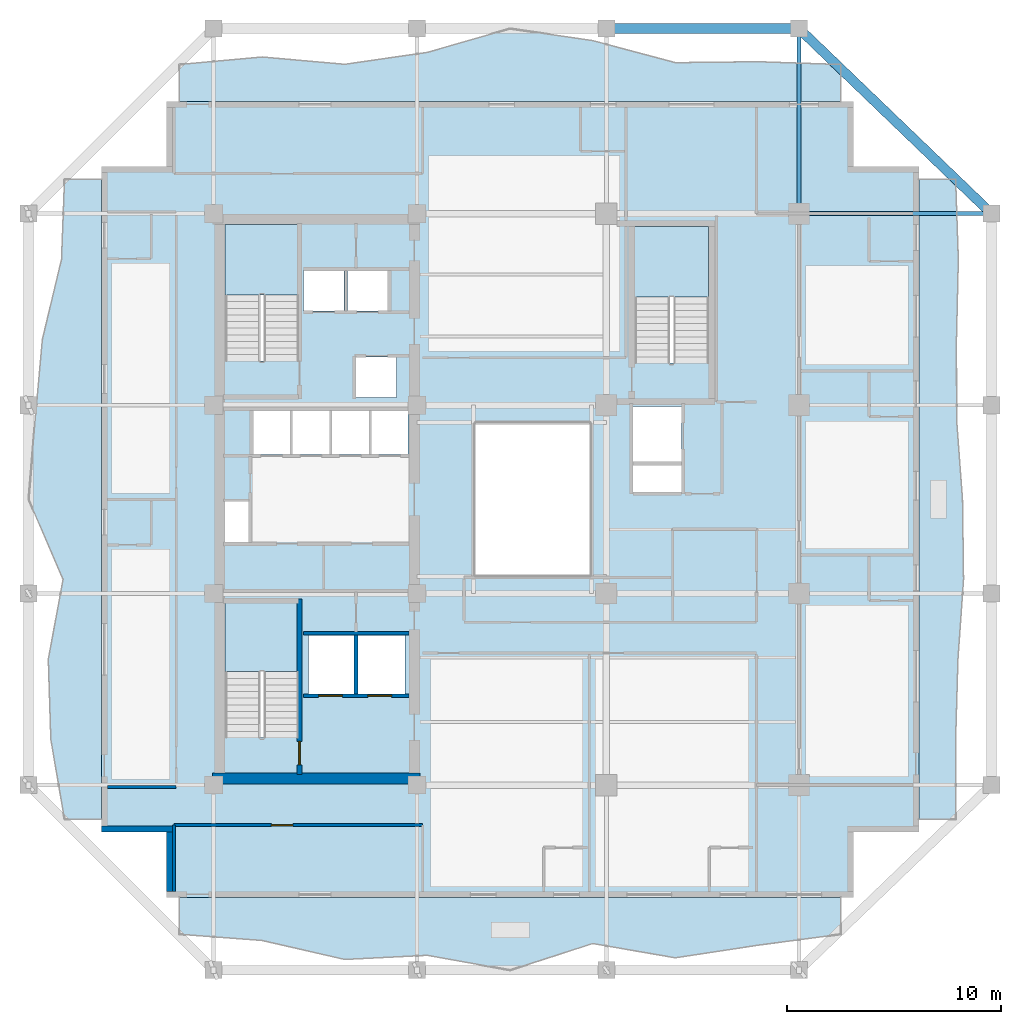
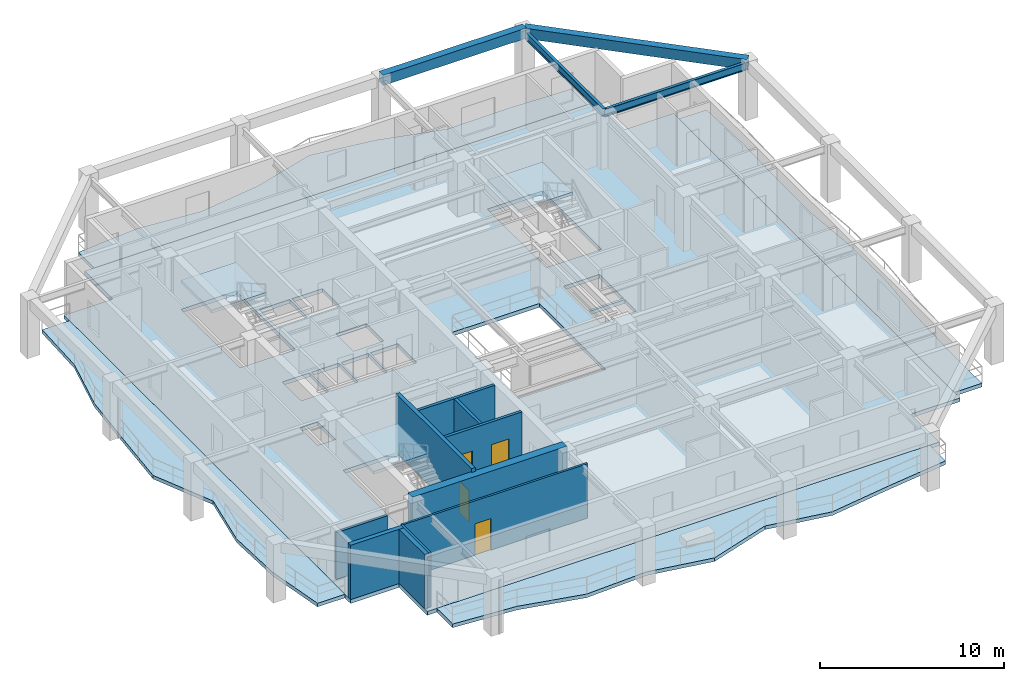
# One storey, part 2 of 11: 10 walls, 8 slabs, 4 beams, 4 doors, 4 openings, 3 elements without a shape of their own.
"""IFC4 building model written with IfcOpenShell, lengths in metres."""

from ifc_helpers import new_model, si_unit, direction, frame, frame_2d, origin, origin_2d, place, context, subcontext, project, spatial, polyline, rectangle, i_section, outline, extrude, material, layer, layer_set, material_profile, profile_set, type_object, element, fill, aggregate, save


model = new_model("IFC4")

# Units and contexts
model_context = context("Model", 3, precision=1e-05, world=origin(), true_north=direction((0.0, 1.0)))
body_context = subcontext(model_context, "Body", "Model", "MODEL_VIEW")
ifc_project = project(units=[si_unit("LENGTHUNIT", "METRE"), si_unit("AREAUNIT", "SQUARE_METRE"), si_unit("VOLUMEUNIT", "CUBIC_METRE"), si_unit("PLANEANGLEUNIT", "RADIAN"), si_unit("MASSUNIT", "GRAM", prefix="KILO")], contexts=[model_context])

# Site, building, storey
site_placement = place(None, origin())
site = spatial("IfcSite", under=ifc_project, at=site_placement, CompositionType="ELEMENT")
building_placement = place(site_placement, origin())
building = spatial("IfcBuilding", under=site, at=building_placement, Name="Kundavana Baori Tower", CompositionType="ELEMENT")
storey_placement = place(building_placement, frame((0.0, 0.0, 119.39990234375)))
storey = spatial("IfcBuildingStorey", under=building, at=storey_placement, Name="L28", CompositionType="ELEMENT", Elevation=119.39990234375)

# Beams
ifc_material_1 = material(Name="Concrete C50/60", Category="concrete")
ifc_material_profile_1 = material_profile(ifc_material_1, rectangle(XDim=0.449951171875, YDim=0.679931640625, at=origin_2d()), Name="RC BM 450x680")
ifc_profile_set_1 = profile_set([ifc_material_profile_1], Name="Concrete C50/60")
beam_type_1 = type_object("IfcBeamType", Name="BM-PF-680", PredefinedType="SPANDREL", material=ifc_profile_set_1)
beam_1_placement = place(storey_placement, frame((33.800048828125, 50.60009765625, 3.510009765625), z_axis=(1.0, 0.0, 0.0), x_axis=(0.0, 1.0, 0.0)))
element("IfcBeam", 1, at=beam_1_placement, inside=storey, type_object=beam_type_1, Name="L28 Perimeter Frame Ring Beam N3", PredefinedType="SPANDREL", context=body_context, shape_type="SweptSolid", body=[
    extrude(rectangle(XDim=0.449951171875, YDim=0.679931640625, at=origin_2d()), origin(), (0.0, 0.0, 1.0), 9.0),
])
beam_2_placement = place(storey_placement, frame((42.800048828125, 50.60009765625, 3.510009765625), z_axis=(0.720981122985, -0.692954702921, 0.0), x_axis=(0.692954702921, 0.720981122985, 0.0)))
element("IfcBeam", 2, at=beam_2_placement, inside=storey, type_object=beam_type_1, Name="L28 Notched Corner Perimeter Beam NE", PredefinedType="SPANDREL", context=body_context, shape_type="SweptSolid", body=[
    extrude(rectangle(XDim=0.449951171875, YDim=0.679931640625, at=origin_2d()), origin(), (0.0, 0.0, 1.0), 12.48291015625),
])
ifc_material_2 = material(Name="Structural Steel S355JR", Category="steel")
ifc_material_profile_2 = material_profile(ifc_material_2, i_section(OverallWidth=0.179931640625, OverallDepth=0.5, WebThickness=0.01025390625, FlangeThickness=0.01708984375, FilletRadius=0.01708984375, at=origin_2d()), Name="ISMB 500")
ifc_profile_set_2 = profile_set([ifc_material_profile_2], Name="Structural Steel S355JR")
beam_type_2 = type_object("IfcBeamType", Name="BM-TIE-500", PredefinedType="BEAM", material=ifc_profile_set_2)
beam_3_placement = place(storey_placement, frame((42.800048828125, 41.949951171875, 3.35009765625), z_axis=(0.0, 1.0, 0.0), x_axis=(-1.0, 0.0, 0.0)))
element("IfcBeam", 3, at=beam_3_placement, inside=storey, type_object=beam_type_2, Name="L28 North Radial Loggia Tie Beam N4", PredefinedType="BEAM", context=body_context, shape_type="SweptSolid", body=[
    extrude(i_section(OverallWidth=0.179931640625, OverallDepth=0.5, WebThickness=0.01025390625, FlangeThickness=0.01708984375, FilletRadius=0.01708984375, at=origin_2d()), origin(), (0.0, 0.0, 1.0), 8.650146484375),
])
beam_4_placement = place(storey_placement, frame((42.800048828125, 41.949951171875, 3.35009765625), z_axis=(1.0, 0.0, 0.0), x_axis=(0.0, 1.0, 0.0)))
element("IfcBeam", 4, at=beam_4_placement, inside=storey, type_object=beam_type_2, Name="L28 East Radial Loggia Tie Beam E4", PredefinedType="BEAM", context=body_context, shape_type="SweptSolid", body=[
    extrude(i_section(OverallWidth=0.179931640625, OverallDepth=0.5, WebThickness=0.01025390625, FlangeThickness=0.01708984375, FilletRadius=0.01708984375, at=origin_2d()), origin(), (0.0, 0.0, 1.0), 9.0),
])

# Slab
ifc_material_3 = material(Name="Concrete C40/50", Category="concrete")
ifc_layer_1 = layer(ifc_material_3, 0.25, Name="SLB-FLR-250")
ifc_layer_set_1 = layer_set([ifc_layer_1], Name="Concrete C40/50")
slab_type_1 = type_object("IfcSlabType", Name="SLB-FLR-250", PredefinedType="FLOOR", material=ifc_layer_set_1)
slab_1_placement = place(storey_placement, frame((0.0, 0.0, -0.25)))
element("IfcSlab", 5, at=slab_1_placement, inside=storey, type_object=slab_type_1, Name="L28 Structural Floor Slab", PredefinedType="FLOOR", context=body_context, shape_type="SweptSolid", body=[
    extrude(outline(polyline([(13.25, 10.0), (45.35009765625, 10.0), (45.35009765625, 13.050048828125), (48.39990234375, 13.050048828125), (48.39990234375, 44.14990234375), (45.35009765625, 44.14990234375), (45.35009765625, 47.199951171875), (13.25, 47.199951171875), (13.25, 44.14990234375), (10.199951171875, 44.14990234375), (10.199951171875, 13.050048828125), (13.25, 13.050048828125), (13.25, 10.0)]), holes=[polyline([(19.43994140625, 17.4619140625), (19.43994140625, 23.85009765625), (15.97998046875, 23.85009765625), (15.97998046875, 17.4619140625), (19.43994140625, 17.4619140625)]), polyline([(19.43994140625, 35.06201171875), (19.43994140625, 41.449951171875), (15.97998046875, 41.449951171875), (15.97998046875, 35.06201171875), (19.43994140625, 35.06201171875)]), polyline([(38.580078125, 34.9619140625), (38.580078125, 41.35009765625), (35.1201171875, 41.35009765625), (35.1201171875, 34.9619140625), (38.580078125, 34.9619140625)]), polyline([(17.300048828125, 30.699951171875), (19.02001953125, 30.699951171875), (19.02001953125, 32.75), (17.300048828125, 32.75), (17.300048828125, 30.699951171875)]), polyline([(19.139892578125, 30.699951171875), (20.860107421875, 30.699951171875), (20.860107421875, 32.75), (19.139892578125, 32.75), (19.139892578125, 30.699951171875)]), polyline([(20.97998046875, 30.699951171875), (22.699951171875, 30.699951171875), (22.699951171875, 32.75), (20.97998046875, 32.75), (20.97998046875, 30.699951171875)]), polyline([(22.820068359375, 30.699951171875), (24.5400390625, 30.699951171875), (24.5400390625, 32.75), (22.820068359375, 32.75), (22.820068359375, 30.699951171875)]), polyline([(19.64990234375, 37.39990234375), (21.550048828125, 37.39990234375), (21.550048828125, 39.300048828125), (19.64990234375, 39.300048828125), (19.64990234375, 37.39990234375)]), polyline([(21.699951171875, 37.39990234375), (23.60009765625, 37.39990234375), (23.60009765625, 39.300048828125), (21.699951171875, 39.300048828125), (21.699951171875, 37.39990234375)]), polyline([(22.10009765625, 33.35009765625), (24.0, 33.35009765625), (24.0, 35.25), (22.10009765625, 35.25), (22.10009765625, 33.35009765625)]), polyline([(19.8798828125, 19.5), (22.02001953125, 19.5), (22.02001953125, 22.25), (19.8798828125, 22.25), (19.8798828125, 19.5)]), polyline([(22.179931640625, 19.5), (24.3798828125, 19.5), (24.3798828125, 22.25), (22.179931640625, 22.25), (22.179931640625, 19.5)]), polyline([(35.050048828125, 30.35009765625), (37.300048828125, 30.35009765625), (37.300048828125, 32.949951171875), (35.050048828125, 32.949951171875), (35.050048828125, 30.35009765625)]), polyline([(15.949951171875, 26.60009765625), (17.080078125, 26.60009765625), (17.080078125, 28.5), (15.949951171875, 28.5), (15.949951171875, 26.60009765625)]), polyline([(35.050048828125, 28.949951171875), (37.300048828125, 28.949951171875), (37.300048828125, 30.199951171875), (35.050048828125, 30.199951171875), (35.050048828125, 28.949951171875)]), polyline([(27.60009765625, 25.0), (33.10009765625, 25.0), (33.10009765625, 32.199951171875), (27.60009765625, 32.199951171875), (27.60009765625, 25.0)])]), origin(), (0.0, 0.0, 1.0), 0.25),
])

# Stair, slab
ifc_material_4 = material(Name="Concrete C40/50", Category="concrete")
stair_type = type_object("IfcStairType", Name="STR-DOG-1650", PredefinedType="HALF_TURN_STAIR", material=ifc_material_4)
stair_1_placement = place(storey_placement, origin())
stair_1 = element("IfcStair", 6, at=stair_1_placement, inside=storey, type_object=stair_type, Name="L28 Protected Exit Stair ST1", PredefinedType="HALF_TURN_STAIR")
ifc_material_5 = material(Name="Concrete C40/50", Category="concrete")
ifc_layer_2 = layer(ifc_material_5, 0.199951171875, Name="SLB-LND-200")
ifc_layer_set_2 = layer_set([ifc_layer_2], Name="Concrete C40/50")
slab_type_2 = type_object("IfcSlabType", Name="SLB-LND-200", PredefinedType="LANDING", material=ifc_layer_set_2)
slab_2_placement = place(storey_placement, frame((0.0, 0.0, 1.72509765625)))
slab_2 = element("IfcSlab", 7, at=slab_2_placement, type_object=slab_type_2, Name="ST1 landing 1", PredefinedType="LANDING", context=body_context, shape_type="SweptSolid", body=[
    extrude(outline(polyline([(19.43994140625, 20.550048828125), (19.43994140625, 23.85009765625), (15.97998046875, 23.85009765625), (15.97998046875, 20.550048828125), (19.43994140625, 20.550048828125)])), origin(), (0.0, 0.0, 1.0), 0.199951171875),
])
aggregate(stair_1, [slab_2])

stair_2_placement = place(storey_placement, origin())
stair_2 = element("IfcStair", 8, at=stair_2_placement, inside=storey, type_object=stair_type, Name="L28 Protected Exit Stair ST2", PredefinedType="HALF_TURN_STAIR")
slab_3_placement = place(storey_placement, frame((0.0, 0.0, 1.72509765625)))
slab_3 = element("IfcSlab", 9, at=slab_3_placement, type_object=slab_type_2, Name="ST2 landing 1", PredefinedType="LANDING", context=body_context, shape_type="SweptSolid", body=[
    extrude(outline(polyline([(19.43994140625, 38.14990234375), (19.43994140625, 41.449951171875), (15.97998046875, 41.449951171875), (15.97998046875, 38.14990234375), (19.43994140625, 38.14990234375)])), origin(), (0.0, 0.0, 1.0), 0.199951171875),
])
aggregate(stair_2, [slab_3])

stair_3_placement = place(storey_placement, origin())
stair_3 = element("IfcStair", 10, at=stair_3_placement, inside=storey, type_object=stair_type, Name="L28 Protected Exit Stair ST3", PredefinedType="HALF_TURN_STAIR")
slab_4_placement = place(storey_placement, frame((0.0, 0.0, 1.72509765625)))
slab_4 = element("IfcSlab", 11, at=slab_4_placement, type_object=slab_type_2, Name="ST3 landing 1", PredefinedType="LANDING", context=body_context, shape_type="SweptSolid", body=[
    extrude(outline(polyline([(38.580078125, 38.050048828125), (38.580078125, 41.35009765625), (35.1201171875, 41.35009765625), (35.1201171875, 38.050048828125), (38.580078125, 38.050048828125)])), origin(), (0.0, 0.0, 1.0), 0.199951171875),
])
aggregate(stair_3, [slab_4])

# Slabs
ifc_material_6 = material(Name="Concrete C40/50", Category="concrete")
ifc_layer_3 = layer(ifc_material_6, 0.239990234375, Name="SLB-LOG-240")
ifc_layer_set_3 = layer_set([ifc_layer_3], Name="Concrete C40/50")
slab_type_3 = type_object("IfcSlabType", Name="SLB-LOG-240", PredefinedType="FLOOR", material=ifc_layer_set_3)
slab_5_placement = place(storey_placement, frame((0.0, 0.0, -0.239990234375)))
element("IfcSlab", 12, at=slab_5_placement, inside=storey, type_object=slab_type_3, Name="L28 Planted Loggia Balcony Slab S", PredefinedType="FLOOR", context=body_context, shape_type="SweptSolid", body=[
    extrude(outline(polyline([(13.85009765625, 10.0), (44.75, 10.0), (44.75, 8.280029296875), (40.886962890625, 7.76708984375), (37.02490234375, 7.177978515625), (33.1630859375, 7.844970703125), (29.300048828125, 6.60009765625), (25.43798828125, 7.294921875), (21.574951171875, 7.10205078125), (17.7119140625, 7.988037109375), (13.85009765625, 8.280029296875), (13.85009765625, 10.0)])), origin(), (0.0, 0.0, 1.0), 0.239990234375),
])
slab_6_placement = place(storey_placement, frame((0.0, 0.0, -0.239990234375)))
element("IfcSlab", 13, at=slab_6_placement, inside=storey, type_object=slab_type_3, Name="L28 Planted Loggia Balcony Slab E", PredefinedType="FLOOR", context=body_context, shape_type="SweptSolid", body=[
    extrude(outline(polyline([(48.39990234375, 13.64990234375), (48.39990234375, 43.550048828125), (50.1201171875, 43.550048828125), (50.24609375, 39.81201171875), (50.158935546875, 36.074951171875), (50.1650390625, 32.3369140625), (50.44091796875, 28.60009765625), (50.490966796875, 24.862060546875), (50.22802734375, 21.125), (50.12109375, 17.386962890625), (50.1201171875, 13.64990234375), (48.39990234375, 13.64990234375)])), origin(), (0.0, 0.0, 1.0), 0.239990234375),
])
slab_7_placement = place(storey_placement, frame((0.0, 0.0, -0.239990234375)))
element("IfcSlab", 14, at=slab_7_placement, inside=storey, type_object=slab_type_3, Name="L28 Planted Loggia Balcony Slab N", PredefinedType="FLOOR", context=body_context, shape_type="SweptSolid", body=[
    extrude(outline(polyline([(44.75, 47.199951171875), (13.85009765625, 47.199951171875), (13.85009765625, 48.919921875), (17.7119140625, 49.27099609375), (21.574951171875, 48.929931640625), (25.43798828125, 49.487060546875), (29.300048828125, 50.60009765625), (33.1630859375, 50.037109375), (37.02490234375, 49.006103515625), (40.886962890625, 49.050048828125), (44.75, 48.919921875), (44.75, 47.199951171875)])), origin(), (0.0, 0.0, 1.0), 0.239990234375),
])
slab_8_placement = place(storey_placement, frame((0.0, 0.0, -0.239990234375)))
element("IfcSlab", 15, at=slab_8_placement, inside=storey, type_object=slab_type_3, Name="L28 Planted Loggia Balcony Slab W", PredefinedType="FLOOR", context=body_context, shape_type="SweptSolid", body=[
    extrude(outline(polyline([(10.199951171875, 43.550048828125), (10.199951171875, 13.64990234375), (8.47998046875, 13.64990234375), (7.840087890625, 17.386962890625), (7.722900390625, 21.125), (8.4140625, 24.862060546875), (6.800048828125, 28.60009765625), (7.10791015625, 32.3369140625), (7.446044921875, 36.074951171875), (8.340087890625, 39.81201171875), (8.47998046875, 43.550048828125), (10.199951171875, 43.550048828125)])), origin(), (0.0, 0.0, 1.0), 0.239990234375),
])

# Wall, opening, door
ifc_material_7 = material(Name="Concrete C50/60", Category="concrete")
ifc_layer_4 = layer(ifc_material_7, 0.39990234375, Name="WL-CORE-400")
ifc_layer_set_4 = layer_set([ifc_layer_4], Name="Concrete C50/60")
wall_type_1 = type_object("IfcWallType", Name="WL-CORE-400", PredefinedType="SHEAR", material=ifc_layer_set_4)
wall_1_placement = place(storey_placement, frame((19.4599609375, 15.739990234375, 0.0), z_axis=(0.0, 0.0, 1.0), x_axis=(0.0, 1.0, 0.0)))
wall_1 = element("IfcWall", 16, at=wall_1_placement, inside=storey, type_object=wall_type_1, Name="WL-L28-ST1-E", PredefinedType="SHEAR", context=body_context, shape_type="SweptSolid", body=[
    extrude(rectangle(XDim=8.199951171875, YDim=0.239990234375, at=frame_2d((4.10009765625, 0.0))), origin(), (0.0, 0.0, 1.0), 3.85009765625),
])
opening_1_placement = place(wall_1_placement, frame((0.449951171875, 0.0, 0.0)))
opening_1 = element("IfcOpeningElement", 17, at=opening_1_placement, cuts=wall_1, Name="Opening FD-110", PredefinedType="OPENING", context=body_context, shape_type="SweptSolid", body=[
    extrude(rectangle(XDim=1.10009765625, YDim=2.10009765625, at=frame_2d((0.550048828125, 1.050048828125))), frame((0.0, 0.1298828125, 0.0), z_axis=(0.0, -1.0, 0.0), x_axis=(1.0, 0.0, 0.0)), (0.0, 0.0, 1.0), 0.260009765625),
])
ifc_material_8 = material(Name="Galvanised Steel Fire-Rated Door Leaf", Category="steel")
door_type_1 = type_object("IfcDoorType", Name="DR-FD120-1100", OperationType="NOTDEFINED", PredefinedType="DOOR", material=ifc_material_8)
door_1_placement = place(opening_1_placement, origin())
door_1 = element("IfcDoor", 18, at=door_1_placement, inside=storey, type_object=door_type_1, Name="DR-L28-ST1", OperationType="SINGLE_SWING_LEFT", OverallHeight=2.10009765625, OverallWidth=1.10009765625, PredefinedType="DOOR", context=body_context, shape_type="SweptSolid", body=[
    extrude(rectangle(XDim=1.10009765625, YDim=2.10009765625, at=frame_2d((0.550048828125, 1.050048828125))), frame((0.0, 0.02490234375, 0.0), z_axis=(0.0, -1.0, 0.0), x_axis=(1.0, 0.0, 0.0)), (0.0, 0.0, 1.0), 0.050048828125),
])
fill(opening_1, door_1)

# Walls
ifc_material_9 = material(Name="Concrete C50/60", Category="concrete")
ifc_layer_5 = layer(ifc_material_9, 0.5, Name="WL-CORE-500")
ifc_layer_set_5 = layer_set([ifc_layer_5], Name="Concrete C50/60")
wall_type_2 = type_object("IfcWallType", Name="WL-CORE-500", PredefinedType="SHEAR", material=ifc_layer_set_5)
wall_2_placement = place(storey_placement, frame((15.39990234375, 15.56005859375, 0.0), z_axis=(0.0, 0.0, 1.0), x_axis=(1.0, 0.0, 0.0)))
element("IfcWall", 19, at=wall_2_placement, inside=storey, type_object=wall_type_2, Name="L28 Offset Core South Shear Wall", PredefinedType="SHEAR", context=body_context, shape_type="SweptSolid", body=[
    extrude(rectangle(XDim=9.68017578125, YDim=0.5, at=frame_2d((4.840087890625, 0.0))), origin(), (0.0, 0.0, 1.0), 3.60009765625),
])
ifc_material_10 = material(Name="Red-Buff Dholpur Sandstone Cladding on Concrete C40/50", Category="masonry")
ifc_layer_6 = layer(ifc_material_10, 0.280029296875, Name="WL-EXT-SAND-280")
ifc_layer_set_6 = layer_set([ifc_layer_6], Name="Red-Buff Dholpur Sandstone Cladding on Concrete C40/50")
wall_type_3 = type_object("IfcWallType", Name="WL-EXT-SAND-280", PredefinedType="STANDARD", material=ifc_layer_set_6)
wall_3_placement = place(storey_placement, frame((10.199951171875, 13.18994140625, 0.0), z_axis=(0.0, 0.0, 1.0), x_axis=(1.0, 0.0, 0.0)))
element("IfcWall", 20, at=wall_3_placement, inside=storey, type_object=wall_type_3, Name="L28 Exterior Insulated Facade Wall 11", PredefinedType="STANDARD", context=body_context, shape_type="SweptSolid", body=[
    extrude(rectangle(XDim=3.330078125, YDim=0.280029296875, at=frame_2d((1.6650390625, 0.0))), origin(), (0.0, 0.0, 1.0), 3.60009765625),
])
wall_4_placement = place(storey_placement, frame((13.389892578125, 13.050048828125, 0.0), z_axis=(0.0, 0.0, 1.0), x_axis=(0.0, -1.0, 0.0)))
element("IfcWall", 21, at=wall_4_placement, inside=storey, type_object=wall_type_3, Name="L28 Exterior Insulated Facade Wall 12", PredefinedType="STANDARD", context=body_context, shape_type="SweptSolid", body=[
    extrude(rectangle(XDim=2.77001953125, YDim=0.280029296875, at=frame_2d((1.385009765625, 0.0))), origin(), (0.0, 0.0, 1.0), 3.60009765625),
])
ifc_material_11 = material(Name="Acoustic Gypsum Plasterboard on Galvanised Steel Studs", Category="steel")
ifc_layer_7 = layer(ifc_material_11, 0.135009765625, Name="WL-PART-135")
ifc_layer_set_7 = layer_set([ifc_layer_7], Name="Acoustic Gypsum Plasterboard on Galvanised Steel Studs")
wall_type_4 = type_object("IfcWallType", Name="WL-PART-135", PredefinedType="PARTITIONING", material=ifc_layer_set_7)
wall_5_placement = place(storey_placement, frame((10.47998046875, 15.159912109375, 0.0), z_axis=(0.0, 0.0, 1.0), x_axis=(1.0, 0.0, 0.0)))
element("IfcWall", 22, at=wall_5_placement, inside=storey, type_object=wall_type_4, Name="WL-L28-HWS", PredefinedType="PARTITIONING", context=body_context, shape_type="SweptSolid", body=[
    extrude(rectangle(XDim=3.219970703125, YDim=0.135009765625, at=frame_2d((1.60986328125, 0.0))), origin(), (0.0, 0.0, 1.0), 3.10009765625),
])

# Wall, opening, door
wall_6_placement = place(storey_placement, frame((13.590087890625, 13.3798828125, 0.0), z_axis=(0.0, 0.0, 1.0), x_axis=(1.0, 0.0, 0.0)))
wall_6 = element("IfcWall", 23, at=wall_6_placement, inside=storey, type_object=wall_type_4, Name="WL-L28-HSC", PredefinedType="PARTITIONING", context=body_context, shape_type="SweptSolid", body=[
    extrude(rectangle(XDim=11.6298828125, YDim=0.135009765625, at=frame_2d((5.81494140625, 0.0))), origin(), (0.0, 0.0, 1.0), 3.60009765625),
])
opening_2_placement = place(wall_6_placement, frame((4.56005859375, 0.0, 0.0)))
opening_2 = element("IfcOpeningElement", 24, at=opening_2_placement, cuts=wall_6, Name="Opening ID-100", PredefinedType="OPENING", context=body_context, shape_type="SweptSolid", body=[
    extrude(rectangle(XDim=1.0, YDim=2.080078125, at=frame_2d((0.5, 1.0400390625))), frame((0.0, 0.07763671875, 0.0), z_axis=(0.0, -1.0, 0.0), x_axis=(1.0, 0.0, 0.0)), (0.0, 0.0, 1.0), 0.155029296875),
])
ifc_material_12 = material(Name="Engineered Teak Solid-Core Timber Veneer", Category="wood")
door_type_2 = type_object("IfcDoorType", Name="DR-INT-1000", OperationType="NOTDEFINED", PredefinedType="DOOR", material=ifc_material_12)
door_2_placement = place(opening_2_placement, frame((1.0, 0.0, 0.0), z_axis=(0.0, 0.0, 1.0), x_axis=(-1.0, 0.0, 0.0)))
door_2 = element("IfcDoor", 25, at=door_2_placement, inside=storey, type_object=door_type_2, Name="DR-L28-HMSW", OperationType="SINGLE_SWING_LEFT", OverallHeight=2.080078125, OverallWidth=1.0, PredefinedType="DOOR", context=body_context, shape_type="SweptSolid", body=[
    extrude(rectangle(XDim=1.0, YDim=2.080078125, at=frame_2d((0.5, 1.0400390625))), frame((0.0, 0.02490234375, 0.0), z_axis=(0.0, -1.0, 0.0), x_axis=(1.0, 0.0, 0.0)), (0.0, 0.0, 1.0), 0.050048828125),
])
fill(opening_2, door_2)

# Wall
wall_7_placement = place(storey_placement, frame((13.590087890625, 10.280029296875, 0.0), z_axis=(0.0, 0.0, 1.0), x_axis=(0.0, 1.0, 0.0)))
element("IfcWall", 26, at=wall_7_placement, inside=storey, type_object=wall_type_4, Name="WL-L28-HSCW", PredefinedType="PARTITIONING", context=body_context, shape_type="SweptSolid", body=[
    extrude(rectangle(XDim=3.099853515625, YDim=0.135009765625, at=frame_2d((1.5498046875, 0.0))), origin(), (0.0, 0.0, 1.0), 3.60009765625),
])

# Wall, openings, doors
ifc_material_13 = material(Name="Autoclaved Aerated Concrete Blockwork Masonry", Category="masonry")
ifc_layer_8 = layer(ifc_material_13, 0.179931640625, Name="WL-SHAFT-180")
ifc_layer_set_8 = layer_set([ifc_layer_8], Name="Autoclaved Aerated Concrete Blockwork Masonry")
wall_type_5 = type_object("IfcWallType", Name="WL-SHAFT-180", PredefinedType="SOLIDWALL", material=ifc_layer_set_8)
wall_8_placement = place(storey_placement, frame((19.639892578125, 19.419921875, 0.0), z_axis=(0.0, 0.0, 1.0), x_axis=(1.0, 0.0, 0.0)))
wall_8 = element("IfcWall", 27, at=wall_8_placement, inside=storey, type_object=wall_type_5, Name="WL-L28-FFL-S", PredefinedType="SOLIDWALL", context=body_context, shape_type="SweptSolid", body=[
    extrude(rectangle(XDim=4.940185546875, YDim=0.179931640625, at=frame_2d((2.47021484375, 0.0))), origin(), (0.0, 0.0, 1.0), 3.60009765625),
])
opening_3_placement = place(wall_8_placement, frame((0.719970703125, 0.0, 0.0)))
opening_3 = element("IfcOpeningElement", 28, at=opening_3_placement, cuts=wall_8, Name="Opening LD-110", PredefinedType="OPENING", context=body_context, shape_type="SweptSolid", body=[
    extrude(rectangle(XDim=1.10009765625, YDim=2.10009765625, at=frame_2d((0.550048828125, 1.050048828125))), frame((0.0, 0.10009765625, 0.0), z_axis=(0.0, -1.0, 0.0), x_axis=(1.0, 0.0, 0.0)), (0.0, 0.0, 1.0), 0.199951171875),
])
opening_4_placement = place(wall_8_placement, frame((3.02001953125, 0.0, 0.0)))
opening_4 = element("IfcOpeningElement", 29, at=opening_4_placement, cuts=wall_8, Name="Opening LD-110", PredefinedType="OPENING", context=body_context, shape_type="SweptSolid", body=[
    extrude(rectangle(XDim=1.10009765625, YDim=2.10009765625, at=frame_2d((0.550048828125, 1.050048828125))), frame((0.0, 0.10009765625, 0.0), z_axis=(0.0, -1.0, 0.0), x_axis=(1.0, 0.0, 0.0)), (0.0, 0.0, 1.0), 0.199951171875),
])
ifc_material_14 = material(Name="Galvanised Steel Fire-Rated Door Leaf", Category="steel")
door_type_3 = type_object("IfcDoorType", Name="DR-SLIDE-LD1100", OperationType="NOTDEFINED", PredefinedType="DOOR", material=ifc_material_14)
door_3_placement = place(opening_3_placement, origin())
door_3 = element("IfcDoor", 30, at=door_3_placement, inside=storey, type_object=door_type_3, Name="DR-L28-LD-FFL-1", OperationType="DOUBLE_DOOR_SLIDING", OverallHeight=2.10009765625, OverallWidth=1.10009765625, PredefinedType="DOOR", context=body_context, shape_type="SweptSolid", body=[
    extrude(rectangle(XDim=1.10009765625, YDim=2.10009765625, at=frame_2d((0.550048828125, 1.050048828125))), frame((0.0, 0.02490234375, 0.0), z_axis=(0.0, -1.0, 0.0), x_axis=(1.0, 0.0, 0.0)), (0.0, 0.0, 1.0), 0.050048828125),
])
fill(opening_3, door_3)
door_4_placement = place(opening_4_placement, origin())
door_4 = element("IfcDoor", 31, at=door_4_placement, inside=storey, type_object=door_type_3, Name="DR-L28-LD-FFL-2", OperationType="DOUBLE_DOOR_SLIDING", OverallHeight=2.10009765625, OverallWidth=1.10009765625, PredefinedType="DOOR", context=body_context, shape_type="SweptSolid", body=[
    extrude(rectangle(XDim=1.10009765625, YDim=2.10009765625, at=frame_2d((0.550048828125, 1.050048828125))), frame((0.0, 0.02490234375, 0.0), z_axis=(0.0, -1.0, 0.0), x_axis=(1.0, 0.0, 0.0)), (0.0, 0.0, 1.0), 0.050048828125),
])
fill(opening_4, door_4)

# Walls
wall_9_placement = place(storey_placement, frame((22.10009765625, 19.510009765625, 0.0), z_axis=(0.0, 0.0, 1.0), x_axis=(0.0, 1.0, 0.0)))
element("IfcWall", 32, at=wall_9_placement, inside=storey, type_object=wall_type_5, Name="WL-L28-FFL-MID", PredefinedType="SOLIDWALL", context=body_context, shape_type="SweptSolid", body=[
    extrude(rectangle(XDim=2.739990234375, YDim=0.179931640625, at=frame_2d((1.3701171875, 0.0))), origin(), (0.0, 0.0, 1.0), 3.60009765625),
])
wall_10_placement = place(storey_placement, frame((19.639892578125, 22.340087890625, 0.0), z_axis=(0.0, 0.0, 1.0), x_axis=(1.0, 0.0, 0.0)))
element("IfcWall", 33, at=wall_10_placement, inside=storey, type_object=wall_type_5, Name="WL-L28-FFL-N", PredefinedType="SOLIDWALL", context=body_context, shape_type="SweptSolid", body=[
    extrude(rectangle(XDim=4.940185546875, YDim=0.179931640625, at=frame_2d((2.47021484375, 0.0))), origin(), (0.0, 0.0, 1.0), 3.60009765625),
])

save(model, "model.ifc")
